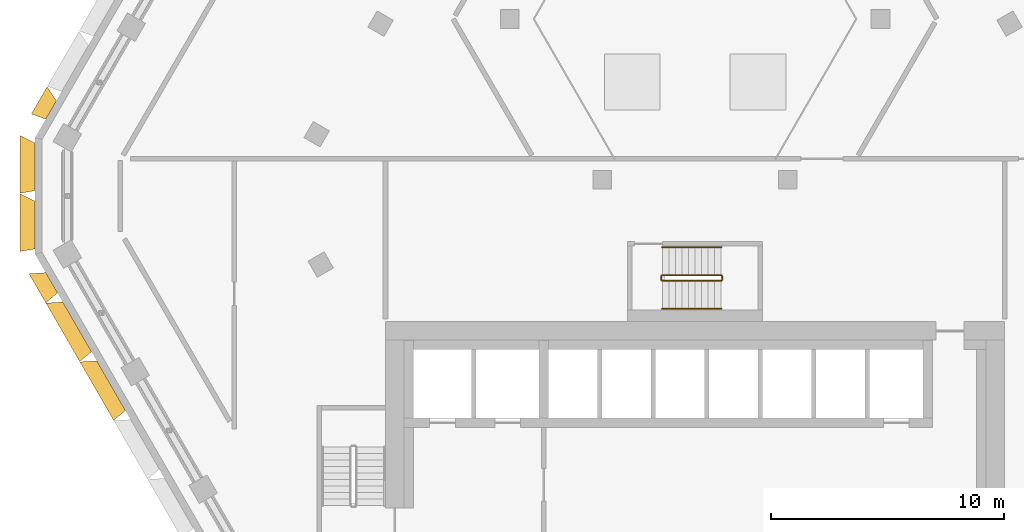
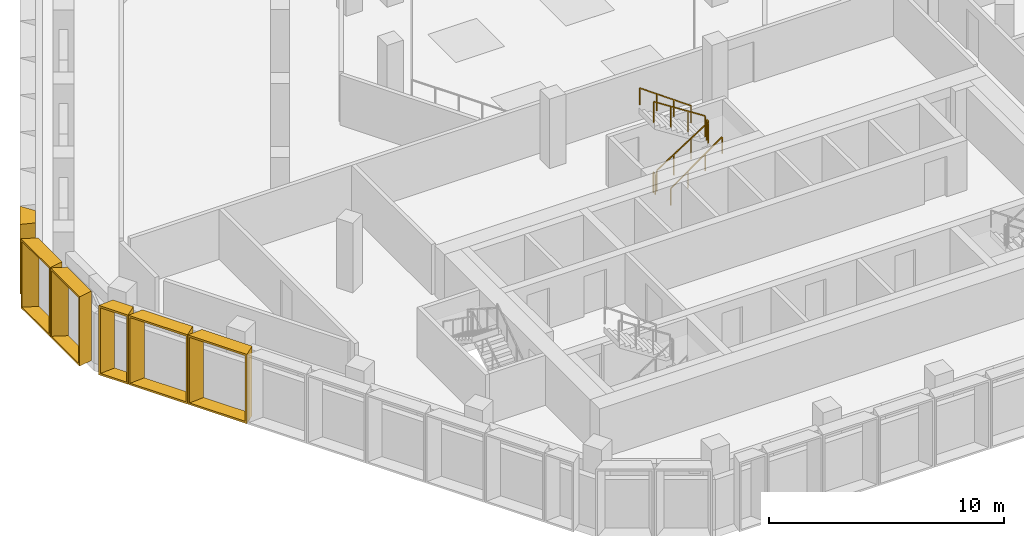
# One storey, part 20 of 22: 6 railings, 6 shading devices.
"""IFC4 building model written with IfcOpenShell, lengths in metres."""

from ifc_helpers import new_model, entity, si_unit, direction, frame, origin, origin_2d, place, context, subcontext, project, spatial, rectangle, extrude, source, transform, mapped, material, type_object, type_shapes, element, save


model = new_model("IFC4")

# Units and contexts
model_context = context("Model", 3, precision=1e-05, world=origin(), true_north=direction((0.0, 1.0)))
body_context = subcontext(model_context, "Body", "Model", "MODEL_VIEW")
ifc_project = project(units=[si_unit("LENGTHUNIT", "METRE"), si_unit("AREAUNIT", "SQUARE_METRE"), si_unit("VOLUMEUNIT", "CUBIC_METRE"), si_unit("PLANEANGLEUNIT", "RADIAN"), si_unit("MASSUNIT", "GRAM", prefix="KILO")], contexts=[model_context])

# Site, building, storey
site_placement = place(None, origin())
site = spatial("IfcSite", under=ifc_project, at=site_placement, CompositionType="ELEMENT")
building_placement = place(site_placement, origin())
building = spatial("IfcBuilding", under=site, at=building_placement, Name="Beryl Residences", CompositionType="ELEMENT")
storey_placement = place(building_placement, frame((0.0, 0.0, 153.60009765625)))
storey = spatial("IfcBuildingStorey", under=building, at=storey_placement, Name="L47", CompositionType="ELEMENT", Elevation=153.60009765625)

# Shading devices
ifc_material_1 = material(Name="Aluminium pale anodised", Category="aluminium")
shading_device_type_1 = type_object("IfcShadingDeviceType", Name="FR137-65B-H36 OUTER SKIN frame 650 mm deep, splay 26/10 deg, 1370 x 3600 mm cell", PredefinedType="USERDEFINED", material=ifc_material_1)
cartesian_point_1 = entity("IfcCartesianPoint", [-0.458984375, 0.0])
cartesian_point_2 = entity("IfcCartesianPoint", [-0.369873046875, 0.10009765625])
cartesian_point_3 = entity("IfcCartesianPoint", [-0.776123046875, 0.0])
cartesian_point_4 = entity("IfcCartesianPoint", [-0.68701171875, 0.10009765625])
shared_shape_1 = source(origin(), body_context, "Body", "SweptSolid", [
    entity("IfcExtrudedAreaSolidTapered", entity("IfcArbitraryProfileDefWithVoids", "AREA", None, entity("IfcPolyline", [cartesian_point_1, entity("IfcCartesianPoint", [0.458984375, 0.0]), entity("IfcCartesianPoint", [0.458984375, 3.60009765625]), entity("IfcCartesianPoint", [-0.458984375, 3.60009765625]), cartesian_point_1]), [entity("IfcPolyline", [cartesian_point_2, entity("IfcCartesianPoint", [0.377685546875, 0.10009765625]), entity("IfcCartesianPoint", [0.377685546875, 3.5]), entity("IfcCartesianPoint", [-0.369873046875, 3.5]), cartesian_point_2])]), entity("IfcAxis2Placement3D", entity("IfcCartesianPoint", [0.0, 0.0, 0.0]), entity("IfcDirection", [0.0, 1.0, 0.0]), entity("IfcDirection", [-1.0, 0.0, 0.0])), entity("IfcDirection", [0.0, 0.0, 1.0]), 0.64990234375, entity("IfcArbitraryProfileDefWithVoids", "AREA", None, entity("IfcPolyline", [cartesian_point_3, entity("IfcCartesianPoint", [0.57373046875, 0.0]), entity("IfcCartesianPoint", [0.57373046875, 3.60009765625]), entity("IfcCartesianPoint", [-0.776123046875, 3.60009765625]), cartesian_point_3]), [entity("IfcPolyline", [cartesian_point_4, entity("IfcCartesianPoint", [0.492431640625, 0.10009765625]), entity("IfcCartesianPoint", [0.492431640625, 3.5]), entity("IfcCartesianPoint", [-0.68701171875, 3.5]), cartesian_point_4])])),
])
type_shapes(shading_device_type_1, [shared_shape_1])
shading_device_1_placement = place(storey_placement, frame((-27.658935546875, 4.093017578125, 0.0), z_axis=(0.0, 0.0, 1.0), x_axis=(0.5, 0.866025403784, 0.0)))
element("IfcShadingDevice", 1, at=shading_device_1_placement, inside=storey, type_object=shading_device_type_1, Name="FR137-65B-H36 frame L47 NW 9", ObjectType="OUTER SKIN", PredefinedType="USERDEFINED", context=body_context, shape_type="MappedRepresentation", body=[
    mapped(shared_shape_1, transform((0.0, 0.0, 0.0))),
])
ifc_material_2 = material(Name="Aluminium pale anodised", Category="aluminium")
shading_device_type_2 = type_object("IfcShadingDeviceType", Name="FR146-65B-H36 OUTER SKIN frame 650 mm deep, splay 26/10 deg, 1460 x 3600 mm cell", PredefinedType="USERDEFINED", material=ifc_material_2)
cartesian_point_5 = entity("IfcCartesianPoint", [-0.50390625, 0.0])
cartesian_point_6 = entity("IfcCartesianPoint", [-0.4150390625, 0.10009765625])
cartesian_point_7 = entity("IfcCartesianPoint", [-0.821044921875, 0.0])
cartesian_point_8 = entity("IfcCartesianPoint", [-0.73193359375, 0.10009765625])
shared_shape_2 = source(origin(), body_context, "Body", "SweptSolid", [
    entity("IfcExtrudedAreaSolidTapered", entity("IfcArbitraryProfileDefWithVoids", "AREA", None, entity("IfcPolyline", [cartesian_point_5, entity("IfcCartesianPoint", [0.50390625, 0.0]), entity("IfcCartesianPoint", [0.50390625, 3.60009765625]), entity("IfcCartesianPoint", [-0.50390625, 3.60009765625]), cartesian_point_5]), [entity("IfcPolyline", [cartesian_point_6, entity("IfcCartesianPoint", [0.4228515625, 0.10009765625]), entity("IfcCartesianPoint", [0.4228515625, 3.5]), entity("IfcCartesianPoint", [-0.4150390625, 3.5]), cartesian_point_6])]), entity("IfcAxis2Placement3D", entity("IfcCartesianPoint", [0.0, 0.0, 0.0]), entity("IfcDirection", [0.0, 1.0, 0.0]), entity("IfcDirection", [-1.0, 0.0, 0.0])), entity("IfcDirection", [0.0, 0.0, 1.0]), 0.64990234375, entity("IfcArbitraryProfileDefWithVoids", "AREA", None, entity("IfcPolyline", [cartesian_point_7, entity("IfcCartesianPoint", [0.61865234375, 0.0]), entity("IfcCartesianPoint", [0.61865234375, 3.60009765625]), entity("IfcCartesianPoint", [-0.821044921875, 3.60009765625]), cartesian_point_7]), [entity("IfcPolyline", [cartesian_point_8, entity("IfcCartesianPoint", [0.537353515625, 0.10009765625]), entity("IfcCartesianPoint", [0.537353515625, 3.5]), entity("IfcCartesianPoint", [-0.73193359375, 3.5]), cartesian_point_8])])),
])
type_shapes(shading_device_type_2, [shared_shape_2])
shading_device_2_placement = place(storey_placement, frame((-27.636962890625, -3.3310546875, 0.0), z_axis=(0.0, 0.0, 1.0), x_axis=(-0.5, 0.866025403784, 0.0)))
element("IfcShadingDevice", 2, at=shading_device_2_placement, inside=storey, type_object=shading_device_type_2, Name="FR146-65B-H36 frame L47 SW 1", ObjectType="OUTER SKIN", PredefinedType="USERDEFINED", context=body_context, shape_type="MappedRepresentation", body=[
    mapped(shared_shape_2, transform((0.0, 0.0, 0.0))),
])
ifc_material_3 = material(Name="Aluminium pale anodised", Category="aluminium")
shading_device_type_3 = type_object("IfcShadingDeviceType", Name="FR250-65B-H36 OUTER SKIN frame 650 mm deep, splay 26/10 deg, 2500 x 3600 mm cell", PredefinedType="USERDEFINED", material=ifc_material_3)
cartesian_point_9 = entity("IfcCartesianPoint", [-1.02392578125, 0.0])
cartesian_point_10 = entity("IfcCartesianPoint", [-0.93505859375, 0.10009765625])
cartesian_point_11 = entity("IfcCartesianPoint", [-1.341064453125, 0.0])
cartesian_point_12 = entity("IfcCartesianPoint", [-1.251953125, 0.10009765625])
shared_shape_3 = source(origin(), body_context, "Body", "SweptSolid", [
    entity("IfcExtrudedAreaSolidTapered", entity("IfcArbitraryProfileDefWithVoids", "AREA", None, entity("IfcPolyline", [cartesian_point_9, entity("IfcCartesianPoint", [1.02392578125, 0.0]), entity("IfcCartesianPoint", [1.02392578125, 3.60009765625]), entity("IfcCartesianPoint", [-1.02392578125, 3.60009765625]), cartesian_point_9]), [entity("IfcPolyline", [cartesian_point_10, entity("IfcCartesianPoint", [0.94287109375, 0.10009765625]), entity("IfcCartesianPoint", [0.94287109375, 3.5]), entity("IfcCartesianPoint", [-0.93505859375, 3.5]), cartesian_point_10])]), entity("IfcAxis2Placement3D", entity("IfcCartesianPoint", [0.0, 0.0, 0.0]), entity("IfcDirection", [0.0, 1.0, 0.0]), entity("IfcDirection", [-1.0, 0.0, 0.0])), entity("IfcDirection", [0.0, 0.0, 1.0]), 0.64990234375, entity("IfcArbitraryProfileDefWithVoids", "AREA", None, entity("IfcPolyline", [cartesian_point_11, entity("IfcCartesianPoint", [1.138671875, 0.0]), entity("IfcCartesianPoint", [1.138671875, 3.60009765625]), entity("IfcCartesianPoint", [-1.341064453125, 3.60009765625]), cartesian_point_11]), [entity("IfcPolyline", [cartesian_point_12, entity("IfcCartesianPoint", [1.057373046875, 0.10009765625]), entity("IfcCartesianPoint", [1.057373046875, 3.5]), entity("IfcCartesianPoint", [-1.251953125, 3.5]), cartesian_point_12])])),
])
type_shapes(shading_device_type_3, [shared_shape_3])
for number, where, z_axis, x_axis, name in (
    (3, (-28.347900390625, 1.64990234375, 0.0), (0.0, 0.0, 1.0), (0.0, 1.0, 0.0), "FR250-65B-H36 frame L47 NW-SW 1"),
    (4, (-28.347900390625, -0.85009765625, 0.0), (0.0, 0.0, 1.0), (0.0, 1.0, 0.0), "FR250-65B-H36 frame L47 NW-SW 2"),
):
    element("IfcShadingDevice", number, at=place(storey_placement, frame(where, z_axis=z_axis, x_axis=x_axis)), inside=storey, type_object=shading_device_type_3, Name=name, ObjectType="OUTER SKIN", PredefinedType="USERDEFINED", context=body_context, shape_type="MappedRepresentation", body=[
        mapped(shared_shape_3, transform((0.0, 0.0, 0.0))),
    ])
ifc_material_4 = material(Name="Aluminium pale anodised", Category="aluminium")
shading_device_type_4 = type_object("IfcShadingDeviceType", Name="FR292-65B-H36 OUTER SKIN frame 650 mm deep, splay 26/10 deg, 2920 x 3600 mm cell", PredefinedType="USERDEFINED", material=ifc_material_4)
cartesian_point_13 = entity("IfcCartesianPoint", [-1.23388671875, 0.0])
cartesian_point_14 = entity("IfcCartesianPoint", [-1.14501953125, 0.10009765625])
cartesian_point_15 = entity("IfcCartesianPoint", [-1.551025390625, 0.0])
cartesian_point_16 = entity("IfcCartesianPoint", [-1.4619140625, 0.10009765625])
shared_shape_4 = source(origin(), body_context, "Body", "SweptSolid", [
    entity("IfcExtrudedAreaSolidTapered", entity("IfcArbitraryProfileDefWithVoids", "AREA", None, entity("IfcPolyline", [cartesian_point_13, entity("IfcCartesianPoint", [1.23388671875, 0.0]), entity("IfcCartesianPoint", [1.23388671875, 3.60009765625]), entity("IfcCartesianPoint", [-1.23388671875, 3.60009765625]), cartesian_point_13]), [entity("IfcPolyline", [cartesian_point_14, entity("IfcCartesianPoint", [1.15283203125, 0.10009765625]), entity("IfcCartesianPoint", [1.15283203125, 3.5]), entity("IfcCartesianPoint", [-1.14501953125, 3.5]), cartesian_point_14])]), entity("IfcAxis2Placement3D", entity("IfcCartesianPoint", [0.0, 0.0, 0.0]), entity("IfcDirection", [0.0, 1.0, 0.0]), entity("IfcDirection", [-1.0, 0.0, 0.0])), entity("IfcDirection", [0.0, 0.0, 1.0]), 0.64990234375, entity("IfcArbitraryProfileDefWithVoids", "AREA", None, entity("IfcPolyline", [cartesian_point_15, entity("IfcCartesianPoint", [1.3486328125, 0.0]), entity("IfcCartesianPoint", [1.3486328125, 3.60009765625]), entity("IfcCartesianPoint", [-1.551025390625, 3.60009765625]), cartesian_point_15]), [entity("IfcPolyline", [cartesian_point_16, entity("IfcCartesianPoint", [1.267333984375, 0.10009765625]), entity("IfcCartesianPoint", [1.267333984375, 3.5]), entity("IfcCartesianPoint", [-1.4619140625, 3.5]), cartesian_point_16])])),
])
type_shapes(shading_device_type_4, [shared_shape_4])
for number, where, z_axis, x_axis, name in (
    (5, (-26.5439453125, -5.22412109375, 0.0), (0.0, 0.0, 1.0), (-0.5, 0.866025403784, 0.0), "FR292-65B-H36 frame L47 SW 2"),
    (6, (-25.0859375, -7.7490234375, 0.0), (0.0, 0.0, 1.0), (-0.5, 0.866025403784, 0.0), "FR292-65B-H36 frame L47 SW 3"),
):
    element("IfcShadingDevice", number, at=place(storey_placement, frame(where, z_axis=z_axis, x_axis=x_axis)), inside=storey, type_object=shading_device_type_4, Name=name, ObjectType="OUTER SKIN", PredefinedType="USERDEFINED", context=body_context, shape_type="MappedRepresentation", body=[
        mapped(shared_shape_4, transform((0.0, 0.0, 0.0))),
    ])

# Railings
ifc_material_5 = material(Name="Stainless steel balustrade with glass infill", Category="steel")
railing_type_1 = type_object("IfcRailingType", Name="SG1 stair guard 1100 mm", PredefinedType="GUARDRAIL", material=ifc_material_5)
railing_1_placement = place(storey_placement, frame((-1.39990234375, -3.25, 0.179931640625)))
element("IfcRailing", 7, at=railing_1_placement, inside=storey, type_object=railing_type_1, Name="L47 ST-4 stair guard 1", PredefinedType="GUARDRAIL", context=body_context, shape_type="SweptSolid", body=[
    extrude(rectangle(XDim=0.048095703125, YDim=0.048095703125, at=origin_2d()), frame((0.0, 0.0, 1.076171875), z_axis=(0.841199657755, 0.0, 0.540724639528), x_axis=(0.0, 1.0, 0.0)), (0.0, 0.0, 1.0), 2.995849609375),
    extrude(rectangle(XDim=0.0419921875, YDim=0.0419921875, at=origin_2d()), origin(), (0.0, 0.0, 1.0), 1.052001953125),
    extrude(rectangle(XDim=0.0419921875, YDim=0.0419921875, at=origin_2d()), frame((0.840087890625, 0.0, 0.5400390625)), (0.0, 0.0, 1.0), 1.052001953125),
    extrude(rectangle(XDim=0.0419921875, YDim=0.0419921875, at=origin_2d()), frame((1.679931640625, 0.0, 1.079833984375)), (0.0, 0.0, 1.0), 1.052001953125),
    extrude(rectangle(XDim=0.0419921875, YDim=0.0419921875, at=origin_2d()), frame((2.52001953125, 0.0, 1.619873046875)), (0.0, 0.0, 1.0), 1.052001953125),
])
railing_2_placement = place(storey_placement, frame((1.169921875, -3.199951171875, 1.7998046875)))
element("IfcRailing", 8, at=railing_2_placement, inside=storey, type_object=railing_type_1, Name="L47 ST-4 stair guard 2", PredefinedType="GUARDRAIL", context=body_context, shape_type="SweptSolid", body=[
    extrude(rectangle(XDim=0.048095703125, YDim=0.048095703125, at=origin_2d()), frame((0.0, 0.0, 1.076171875), z_axis=(0.0, 1.0, 0.0), x_axis=(-1.0, 0.0, 0.0)), (0.0, 0.0, 1.0), 0.14990234375),
    extrude(rectangle(XDim=0.0419921875, YDim=0.0419921875, at=origin_2d()), origin(), (0.0, 0.0, 1.0), 1.052001953125),
    extrude(rectangle(XDim=0.0419921875, YDim=0.0419921875, at=origin_2d()), frame((0.0, 0.14990234375, 0.0)), (0.0, 0.0, 1.0), 1.052001953125),
])
railing_3_placement = place(storey_placement, frame((1.1201171875, -3.0, 1.97998046875)))
element("IfcRailing", 9, at=railing_3_placement, inside=storey, type_object=railing_type_1, Name="L47 ST-4 stair guard 3", PredefinedType="GUARDRAIL", context=body_context, shape_type="SweptSolid", body=[
    extrude(rectangle(XDim=0.048095703125, YDim=0.048095703125, at=origin_2d()), frame((0.0, 0.0, 1.076171875), z_axis=(-0.841199657755, 0.0, 0.540724639528), x_axis=(0.0, -1.0, 0.0)), (0.0, 0.0, 1.0), 2.995849609375),
    extrude(rectangle(XDim=0.0419921875, YDim=0.0419921875, at=origin_2d()), origin(), (0.0, 0.0, 1.0), 1.052001953125),
    extrude(rectangle(XDim=0.0419921875, YDim=0.0419921875, at=origin_2d()), frame((-0.840087890625, 0.0, 0.5400390625)), (0.0, 0.0, 1.0), 1.052001953125),
    extrude(rectangle(XDim=0.0419921875, YDim=0.0419921875, at=origin_2d()), frame((-1.679931640625, 0.0, 1.079833984375)), (0.0, 0.0, 1.0), 1.052001953125),
    extrude(rectangle(XDim=0.0419921875, YDim=0.0419921875, at=origin_2d()), frame((-2.52001953125, 0.0, 1.619873046875)), (0.0, 0.0, 1.0), 1.052001953125),
])
railing_4_placement = place(storey_placement, frame((-1.449951171875, -3.199951171875, 0.0)))
element("IfcRailing", 10, at=railing_4_placement, inside=storey, type_object=railing_type_1, Name="L47 ST-4 stair guard 4", PredefinedType="GUARDRAIL", context=body_context, shape_type="SweptSolid", body=[
    extrude(rectangle(XDim=0.048095703125, YDim=0.048095703125, at=origin_2d()), frame((0.0, 0.0, 1.076171875), z_axis=(0.0, 1.0, 0.0), x_axis=(-1.0, 0.0, 0.0)), (0.0, 0.0, 1.0), 0.14990234375),
    extrude(rectangle(XDim=0.0419921875, YDim=0.0419921875, at=origin_2d()), origin(), (0.0, 0.0, 1.0), 1.052001953125),
    extrude(rectangle(XDim=0.0419921875, YDim=0.0419921875, at=origin_2d()), frame((0.0, 0.14990234375, 0.0)), (0.0, 0.0, 1.0), 1.052001953125),
])
ifc_material_6 = material(Name="Stainless steel handrail", Category="steel")
railing_type_2 = type_object("IfcRailingType", Name="SRL1 stair handrail 900 mm", PredefinedType="HANDRAIL", material=ifc_material_6)
railing_5_placement = place(storey_placement, frame((-1.39990234375, -4.449951171875, 0.179931640625)))
element("IfcRailing", 11, at=railing_5_placement, inside=storey, type_object=railing_type_2, Name="L47 ST-4 stair handrail 1", PredefinedType="HANDRAIL", context=body_context, shape_type="SweptSolid", body=[
    extrude(rectangle(XDim=0.048095703125, YDim=0.048095703125, at=origin_2d()), frame((0.0, 0.0, 0.8759765625), z_axis=(0.813728144527, 0.0, 0.581245650998), x_axis=(0.0, 1.0, 0.0)), (0.0, 0.0, 1.0), 3.096923828125),
    extrude(rectangle(XDim=0.0419921875, YDim=0.0419921875, at=origin_2d()), origin(), (0.0, 0.0, 1.0), 0.851806640625),
    extrude(rectangle(XDim=0.0419921875, YDim=0.0419921875, at=origin_2d()), frame((0.840087890625, 0.0, 0.60009765625)), (0.0, 0.0, 1.0), 0.851806640625),
    extrude(rectangle(XDim=0.0419921875, YDim=0.0419921875, at=origin_2d()), frame((1.679931640625, 0.0, 1.199951171875)), (0.0, 0.0, 1.0), 0.851806640625),
    extrude(rectangle(XDim=0.0419921875, YDim=0.0419921875, at=origin_2d()), frame((2.52001953125, 0.0, 1.800048828125)), (0.0, 0.0, 1.0), 0.851806640625),
])
railing_6_placement = place(storey_placement, frame((1.1201171875, -1.800048828125, 1.97998046875)))
element("IfcRailing", 12, at=railing_6_placement, inside=storey, type_object=railing_type_2, Name="L47 ST-4 stair handrail 2", PredefinedType="HANDRAIL", context=body_context, shape_type="SweptSolid", body=[
    extrude(rectangle(XDim=0.048095703125, YDim=0.048095703125, at=origin_2d()), frame((0.0, 0.0, 0.8759765625), z_axis=(-0.813765431312, 0.0, 0.581193446971), x_axis=(0.0, -1.0, 0.0)), (0.0, 0.0, 1.0), 3.0966796875),
    extrude(rectangle(XDim=0.0419921875, YDim=0.0419921875, at=origin_2d()), origin(), (0.0, 0.0, 1.0), 0.851806640625),
    extrude(rectangle(XDim=0.0419921875, YDim=0.0419921875, at=origin_2d()), frame((-0.840087890625, 0.0, 0.599853515625)), (0.0, 0.0, 1.0), 0.851806640625),
    extrude(rectangle(XDim=0.0419921875, YDim=0.0419921875, at=origin_2d()), frame((-1.679931640625, 0.0, 1.199951171875)), (0.0, 0.0, 1.0), 0.851806640625),
    extrude(rectangle(XDim=0.0419921875, YDim=0.0419921875, at=origin_2d()), frame((-2.52001953125, 0.0, 1.7998046875)), (0.0, 0.0, 1.0), 0.851806640625),
])

save(model, "model.ifc")
